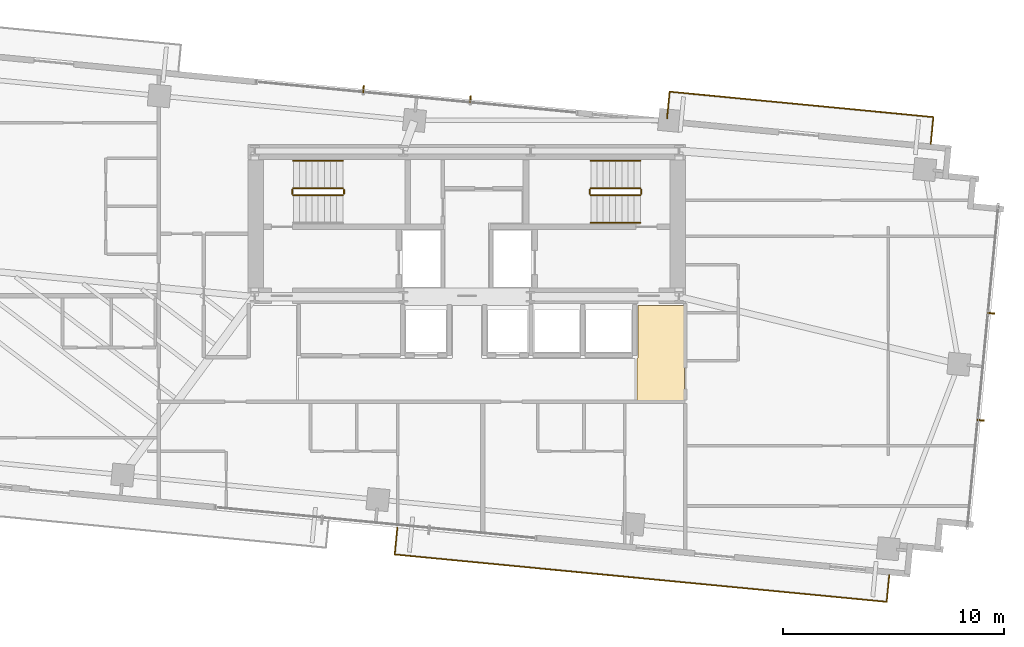
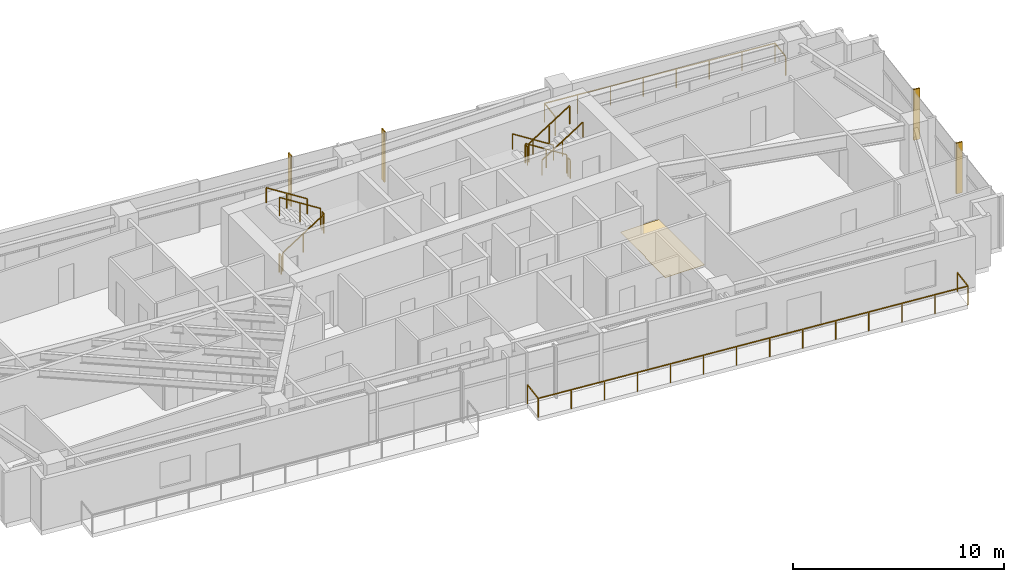
# One storey, part 20 of 20: 13 railings, 4 shading devices, 1 covering.
"""IFC4 building model written with IfcOpenShell, lengths in metres."""

from ifc_helpers import new_model, si_unit, direction, frame, origin, origin_2d, place, context, subcontext, project, spatial, polyline, rectangle, outline, extrude, source, transform, mapped, material, layer, layer_set, type_object, type_shapes, element, save


model = new_model("IFC4")

# Units and contexts
model_context = context("Model", 3, precision=1e-05, world=origin(), true_north=direction((0.0, 1.0)))
body_context = subcontext(model_context, "Body", "Model", "MODEL_VIEW")
ifc_project = project(units=[si_unit("LENGTHUNIT", "METRE"), si_unit("AREAUNIT", "SQUARE_METRE"), si_unit("VOLUMEUNIT", "CUBIC_METRE"), si_unit("PLANEANGLEUNIT", "RADIAN"), si_unit("MASSUNIT", "GRAM", prefix="KILO")], contexts=[model_context])

# Site, building, storey
site_placement = place(None, origin())
site = spatial("IfcSite", under=ifc_project, at=site_placement, CompositionType="ELEMENT")
building_placement = place(site_placement, origin())
building = spatial("IfcBuilding", under=site, at=building_placement, Name="Astriad Promenade Condominiums", CompositionType="ELEMENT")
storey_placement = place(building_placement, frame((0.0, 0.0, 131.0)))
storey = spatial("IfcBuildingStorey", under=building, at=storey_placement, Name="L37", CompositionType="ELEMENT", Elevation=131.0)

# Covering
ifc_material_1 = material(Name="Polished Lakefront Terrazzo Flooring")
ifc_layer = layer(ifc_material_1, 0.02001953125)
ifc_layer_set = layer_set([ifc_layer], Name="Polished Lakefront Terrazzo Flooring")
covering_type = type_object("IfcCoveringType", Name="COV-FLOR-TERRAZZO-20", PredefinedType="FLOORING", material=ifc_layer_set)
covering_placement = place(storey_placement, origin())
element("IfcCovering", 1, at=covering_placement, inside=storey, type_object=covering_type, Name="FLR-L37-COR-1", PredefinedType="FLOORING", context=body_context, shape_type="SweptSolid", body=[
    extrude(outline(polyline([(43.699951171875, 12.68994140625), (43.699951171875, 14.610107421875), (43.703857421875, 14.610107421875), (43.707763671875, 14.61083984375), (43.711669921875, 14.61181640625), (43.71533203125, 14.613037109375), (43.718994140625, 14.61474609375), (43.72216796875, 14.61669921875), (43.725341796875, 14.619140625), (43.728271484375, 14.62158203125), (43.73095703125, 14.62451171875), (43.7333984375, 14.627685546875), (43.7353515625, 14.631103515625), (43.737060546875, 14.634765625), (43.73828125, 14.638427734375), (43.7392578125, 14.64208984375), (43.73974609375, 14.64599609375), (43.739990234375, 14.64990234375), (43.739990234375, 17.010009765625), (45.840087890625, 17.010009765625), (45.840087890625, 12.68994140625), (43.699951171875, 12.68994140625)])), origin(), (0.0, 0.0, 1.0), 0.02001953125),
])

# Shading devices
ifc_material_2 = material(Name="Anodised aluminium 6063-T6 Black Fin", Category="aluminium")
shading_device_type = type_object("IfcShadingDeviceType", Name="FIN-BLACK-260", PredefinedType="USERDEFINED", material=ifc_material_2)
shared_shape_1 = source(origin(), body_context, "Body", "SweptSolid", [
    extrude(rectangle(XDim=0.06494140625, YDim=0.320068359375, at=origin_2d()), origin(), (0.0, 0.0, 1.0), 2.93994140625),
])
type_shapes(shading_device_type, [shared_shape_1])
for number, where, z_axis, x_axis, name in (
    (2, (31.3212890625, 26.7978515625, 0.0), (0.0, 0.0, 1.0), (0.995396198367, -0.09584575252, 0.0), "CW-L37-N-FIN-01"),
    (3, (36.1591796875, 26.331787109375, 0.0), (0.0, 0.0, 1.0), (0.995396198367, -0.09584575252, 0.0), "CW-L37-N-FIN-02"),
    (4, (59.7197265625, 16.652587890625, 0.0), (0.0, 0.0, 1.0), (-0.09584575252, -0.995396198367, 0.0), "CW-L37-E-FIN-01"),
    (5, (59.25341796875, 11.808349609375, 0.0), (0.0, 0.0, 1.0), (-0.09584575252, -0.995396198367, 0.0), "CW-L37-E-FIN-02"),
):
    element("IfcShadingDevice", number, at=place(storey_placement, frame(where, z_axis=z_axis, x_axis=x_axis)), inside=storey, type_object=shading_device_type, Name=name, ObjectType="FIN", PredefinedType="USERDEFINED", context=body_context, shape_type="MappedRepresentation", body=[
        mapped(shared_shape_1, transform((0.0, 0.0, 0.0), scale=1.0)),
    ])

# Railings
ifc_material_3 = material(Name="Laminated Glass and Stainless Steel Balustrade", Category="steel")
railing_type_1 = type_object("IfcRailingType", Name="GRD-BALC-1120", PredefinedType="BALUSTRADE", material=ifc_material_3)
shared_shape_2 = source(origin(), body_context, "Body", "SweptSolid", [
    extrude(rectangle(XDim=0.048095703125, YDim=0.048095703125, at=origin_2d()), frame((0.0, 0.0, 1.09619140625), z_axis=(-0.095876405589, -0.995393246336, 0.0), x_axis=(0.995393246336, -0.095876405589, 0.0)), (0.0, 0.0, 1.0), 1.2197265625),
    extrude(rectangle(XDim=0.048095703125, YDim=0.048095703125, at=origin_2d()), frame((-0.116943359375, -1.214111328125, 1.09619140625), z_axis=(0.995396181145, -0.095845931384, 0.0), x_axis=(0.095845931384, 0.995396181145, 0.0)), (0.0, 0.0, 1.0), 22.3671875),
    extrude(rectangle(XDim=0.048095703125, YDim=0.048095703125, at=origin_2d()), frame((22.147216796875, -3.35791015625, 1.09619140625), z_axis=(0.095857307208, 0.99539508571, 0.0), x_axis=(-0.99539508571, 0.095857307208, 0.0)), (0.0, 0.0, 1.0), 1.219970703125),
    extrude(rectangle(XDim=0.0419921875, YDim=0.0419921875, at=origin_2d()), origin(), (0.0, 0.0, 1.0), 1.072021484375),
    extrude(rectangle(XDim=0.0419921875, YDim=0.0419921875, at=origin_2d()), frame((-0.116943359375, -1.214111328125, 0.0)), (0.0, 0.0, 1.0), 1.072021484375),
    extrude(rectangle(XDim=0.0419921875, YDim=0.0419921875, at=origin_2d()), frame((1.595703125, -1.37890625, 0.0)), (0.0, 0.0, 1.0), 1.072021484375),
    extrude(rectangle(XDim=0.0419921875, YDim=0.0419921875, at=origin_2d()), frame((3.308349609375, -1.5439453125, 0.0)), (0.0, 0.0, 1.0), 1.072021484375),
    extrude(rectangle(XDim=0.0419921875, YDim=0.0419921875, at=origin_2d()), frame((5.02099609375, -1.708740234375, 0.0)), (0.0, 0.0, 1.0), 1.072021484375),
    extrude(rectangle(XDim=0.0419921875, YDim=0.0419921875, at=origin_2d()), frame((6.733642578125, -1.873779296875, 0.0)), (0.0, 0.0, 1.0), 1.072021484375),
    extrude(rectangle(XDim=0.0419921875, YDim=0.0419921875, at=origin_2d()), frame((8.4462890625, -2.03857421875, 0.0)), (0.0, 0.0, 1.0), 1.072021484375),
    extrude(rectangle(XDim=0.0419921875, YDim=0.0419921875, at=origin_2d()), frame((10.158935546875, -2.20361328125, 0.0)), (0.0, 0.0, 1.0), 1.072021484375),
    extrude(rectangle(XDim=0.0419921875, YDim=0.0419921875, at=origin_2d()), frame((11.871337890625, -2.368408203125, 0.0)), (0.0, 0.0, 1.0), 1.072021484375),
    extrude(rectangle(XDim=0.0419921875, YDim=0.0419921875, at=origin_2d()), frame((13.583984375, -2.533447265625, 0.0)), (0.0, 0.0, 1.0), 1.072021484375),
    extrude(rectangle(XDim=0.0419921875, YDim=0.0419921875, at=origin_2d()), frame((15.296630859375, -2.6982421875, 0.0)), (0.0, 0.0, 1.0), 1.072021484375),
    extrude(rectangle(XDim=0.0419921875, YDim=0.0419921875, at=origin_2d()), frame((17.00927734375, -2.86328125, 0.0)), (0.0, 0.0, 1.0), 1.072021484375),
    extrude(rectangle(XDim=0.0419921875, YDim=0.0419921875, at=origin_2d()), frame((18.721923828125, -3.028076171875, 0.0)), (0.0, 0.0, 1.0), 1.072021484375),
    extrude(rectangle(XDim=0.0419921875, YDim=0.0419921875, at=origin_2d()), frame((20.4345703125, -3.193115234375, 0.0)), (0.0, 0.0, 1.0), 1.072021484375),
    extrude(rectangle(XDim=0.0419921875, YDim=0.0419921875, at=origin_2d()), frame((22.147216796875, -3.35791015625, 0.0)), (0.0, 0.0, 1.0), 1.072021484375),
    extrude(rectangle(XDim=0.0419921875, YDim=0.0419921875, at=origin_2d()), frame((22.26416015625, -2.1435546875, 0.0)), (0.0, 0.0, 1.0), 1.072021484375),
])
railing_1_placement = place(storey_placement, frame((32.85009765625, 6.94970703125, 0.0)))
element("IfcRailing", 6, at=railing_1_placement, inside=storey, type_object=railing_type_1, Name="GRD-BALC-L37-SE", PredefinedType="BALUSTRADE", context=body_context, shape_type="MappedRepresentation", body=[
    mapped(shared_shape_2, transform((0.0, 0.0, 0.0), scale=1.0)),
])
shared_shape_3 = source(origin(), body_context, "Body", "SweptSolid", [
    extrude(rectangle(XDim=0.048095703125, YDim=0.048095703125, at=origin_2d()), frame((0.0, 0.0, 1.09619140625), z_axis=(0.095857307208, 0.99539508571, 0.0), x_axis=(-0.99539508571, 0.095857307208, 0.0)), (0.0, 0.0, 1.0), 1.219970703125),
    extrude(rectangle(XDim=0.048095703125, YDim=0.048095703125, at=origin_2d()), frame((0.116943359375, 1.21435546875, 1.09619140625), z_axis=(-0.995397121532, 0.095836164598, 0.0), x_axis=(-0.095836164598, -0.995397121532, 0.0)), (0.0, 0.0, 1.0), 11.990966796875),
    extrude(rectangle(XDim=0.048095703125, YDim=0.048095703125, at=origin_2d()), frame((-11.81884765625, 2.363525390625, 1.09619140625), z_axis=(-0.095857307208, -0.99539508571, 0.0), x_axis=(0.99539508571, -0.095857307208, 0.0)), (0.0, 0.0, 1.0), 1.219970703125),
    extrude(rectangle(XDim=0.0419921875, YDim=0.0419921875, at=origin_2d()), origin(), (0.0, 0.0, 1.0), 1.072021484375),
    extrude(rectangle(XDim=0.0419921875, YDim=0.0419921875, at=origin_2d()), frame((0.116943359375, 1.21435546875, 0.0)), (0.0, 0.0, 1.0), 1.072021484375),
    extrude(rectangle(XDim=0.0419921875, YDim=0.0419921875, at=origin_2d()), frame((-1.588134765625, 1.37841796875, 0.0)), (0.0, 0.0, 1.0), 1.072021484375),
    extrude(rectangle(XDim=0.0419921875, YDim=0.0419921875, at=origin_2d()), frame((-3.293212890625, 1.542724609375, 0.0)), (0.0, 0.0, 1.0), 1.072021484375),
    extrude(rectangle(XDim=0.0419921875, YDim=0.0419921875, at=origin_2d()), frame((-4.998291015625, 1.706787109375, 0.0)), (0.0, 0.0, 1.0), 1.072021484375),
    extrude(rectangle(XDim=0.0419921875, YDim=0.0419921875, at=origin_2d()), frame((-6.70361328125, 1.87109375, 0.0)), (0.0, 0.0, 1.0), 1.072021484375),
    extrude(rectangle(XDim=0.0419921875, YDim=0.0419921875, at=origin_2d()), frame((-8.40869140625, 2.03515625, 0.0)), (0.0, 0.0, 1.0), 1.072021484375),
    extrude(rectangle(XDim=0.0419921875, YDim=0.0419921875, at=origin_2d()), frame((-10.11376953125, 2.199462890625, 0.0)), (0.0, 0.0, 1.0), 1.072021484375),
    extrude(rectangle(XDim=0.0419921875, YDim=0.0419921875, at=origin_2d()), frame((-11.81884765625, 2.363525390625, 0.0)), (0.0, 0.0, 1.0), 1.072021484375),
    extrude(rectangle(XDim=0.0419921875, YDim=0.0419921875, at=origin_2d()), frame((-11.935791015625, 1.149169921875, 0.0)), (0.0, 0.0, 1.0), 1.072021484375),
])
type_shapes(railing_type_1, [shared_shape_2, shared_shape_3])
railing_2_placement = place(storey_placement, frame((56.99267578125, 24.31591796875, 0.0)))
element("IfcRailing", 7, at=railing_2_placement, inside=storey, type_object=railing_type_1, Name="GRD-BALC-L37-NE", PredefinedType="BALUSTRADE", context=body_context, shape_type="MappedRepresentation", body=[
    mapped(shared_shape_3, transform((0.0, 0.0, 0.0), scale=1.0)),
])
ifc_material_4 = material(Name="Painted Galvanised Steel Guardrail", Category="steel")
railing_type_2 = type_object("IfcRailingType", Name="GRD-STAIR-1100", PredefinedType="GUARDRAIL", material=ifc_material_4)
shared_shape_4 = source(origin(), body_context, "Body", "SweptSolid", [
    extrude(rectangle(XDim=0.048095703125, YDim=0.048095703125, at=origin_2d()), frame((0.0, 0.0, 1.076171875), z_axis=(0.0, 1.0, 0.0), x_axis=(-1.0, 0.0, 0.0)), (0.0, 0.0, 1.0), 0.199951171875),
    extrude(rectangle(XDim=0.0419921875, YDim=0.0419921875, at=origin_2d()), origin(), (0.0, 0.0, 1.0), 1.052001953125),
    extrude(rectangle(XDim=0.0419921875, YDim=0.0419921875, at=origin_2d()), frame((0.0, 0.199951171875, 0.0)), (0.0, 0.0, 1.0), 1.052001953125),
])
for number, where, name in (
    (8, (30.43994140625, 22.050048828125, 1.60009765625), "L37 ST-1 stair guard 2"),
    (9, (28.10009765625, 22.050048828125, 0.0), "L37 ST-1 stair guard 4"),
):
    element("IfcRailing", number, at=place(storey_placement, frame(where)), inside=storey, type_object=railing_type_2, Name=name, PredefinedType="GUARDRAIL", context=body_context, shape_type="MappedRepresentation", body=[
        mapped(shared_shape_4, transform((0.0, 0.0, 0.0), scale=1.0)),
    ])
shared_shape_5 = source(origin(), body_context, "Body", "SweptSolid", [
    extrude(rectangle(XDim=0.048095703125, YDim=0.048095703125, at=origin_2d()), frame((0.0, 0.0, 1.076171875), z_axis=(0.84418770128, 0.0, 0.536047689118), x_axis=(0.0, 1.0, 0.0)), (0.0, 0.0, 1.0), 2.6533203125),
    extrude(rectangle(XDim=0.0419921875, YDim=0.0419921875, at=origin_2d()), origin(), (0.0, 0.0, 1.0), 1.052001953125),
    extrude(rectangle(XDim=0.0419921875, YDim=0.0419921875, at=origin_2d()), frame((1.1201171875, 0.0, 0.711181640625)), (0.0, 0.0, 1.0), 1.052001953125),
    extrude(rectangle(XDim=0.0419921875, YDim=0.0419921875, at=origin_2d()), frame((2.239990234375, 0.0, 1.42236328125)), (0.0, 0.0, 1.0), 1.052001953125),
])
railing_3_placement = place(storey_placement, frame((28.14990234375, 22.0, 0.177734375)))
element("IfcRailing", 10, at=railing_3_placement, inside=storey, type_object=railing_type_2, Name="L37 ST-1 stair guard 1", PredefinedType="GUARDRAIL", context=body_context, shape_type="MappedRepresentation", body=[
    mapped(shared_shape_5, transform((0.0, 0.0, 0.0), scale=1.0)),
])
shared_shape_6 = source(origin(), body_context, "Body", "SweptSolid", [
    extrude(rectangle(XDim=0.048095703125, YDim=0.048095703125, at=origin_2d()), frame((0.0, 0.0, 1.076171875), z_axis=(-0.8442293374, 0.0, 0.53598211339), x_axis=(0.0, -1.0, 0.0)), (0.0, 0.0, 1.0), 2.6533203125),
    extrude(rectangle(XDim=0.0419921875, YDim=0.0419921875, at=origin_2d()), origin(), (0.0, 0.0, 1.0), 1.052001953125),
    extrude(rectangle(XDim=0.0419921875, YDim=0.0419921875, at=origin_2d()), frame((-1.1201171875, 0.0, 0.7109375)), (0.0, 0.0, 1.0), 1.052001953125),
    extrude(rectangle(XDim=0.0419921875, YDim=0.0419921875, at=origin_2d()), frame((-2.239990234375, 0.0, 1.422119140625)), (0.0, 0.0, 1.0), 1.052001953125),
])
railing_4_placement = place(storey_placement, frame((30.389892578125, 22.300048828125, 1.77783203125)))
element("IfcRailing", 11, at=railing_4_placement, inside=storey, type_object=railing_type_2, Name="L37 ST-1 stair guard 3", PredefinedType="GUARDRAIL", context=body_context, shape_type="MappedRepresentation", body=[
    mapped(shared_shape_6, transform((0.0, 0.0, 0.0), scale=1.0)),
])
ifc_material_5 = material(Name="Brushed Stainless Steel Handrail", Category="steel")
railing_type_3 = type_object("IfcRailingType", Name="HRL-STAIR-920", PredefinedType="HANDRAIL", material=ifc_material_5)
shared_shape_7 = source(origin(), body_context, "Body", "SweptSolid", [
    extrude(rectangle(XDim=0.048095703125, YDim=0.048095703125, at=origin_2d()), frame((0.0, 0.0, 0.8759765625), z_axis=(-0.8442293374, 0.0, 0.53598211339), x_axis=(0.0, -1.0, 0.0)), (0.0, 0.0, 1.0), 2.6533203125),
    extrude(rectangle(XDim=0.0419921875, YDim=0.0419921875, at=origin_2d()), origin(), (0.0, 0.0, 1.0), 0.851806640625),
    extrude(rectangle(XDim=0.0419921875, YDim=0.0419921875, at=origin_2d()), frame((-1.1201171875, 0.0, 0.7109375)), (0.0, 0.0, 1.0), 0.851806640625),
    extrude(rectangle(XDim=0.0419921875, YDim=0.0419921875, at=origin_2d()), frame((-2.239990234375, 0.0, 1.422119140625)), (0.0, 0.0, 1.0), 0.851806640625),
])
railing_5_placement = place(storey_placement, frame((30.389892578125, 23.550048828125, 1.77783203125)))
element("IfcRailing", 12, at=railing_5_placement, inside=storey, type_object=railing_type_3, Name="L37 ST-1 stair handrail 2", PredefinedType="HANDRAIL", context=body_context, shape_type="MappedRepresentation", body=[
    mapped(shared_shape_7, transform((0.0, 0.0, 0.0), scale=1.0)),
])
shared_shape_8 = source(origin(), body_context, "Body", "SweptSolid", [
    extrude(rectangle(XDim=0.048095703125, YDim=0.048095703125, at=origin_2d()), frame((0.0, 0.0, 1.076171875), z_axis=(0.8442293374, 0.0, 0.53598211339), x_axis=(0.0, 1.0, 0.0)), (0.0, 0.0, 1.0), 2.6533203125),
    extrude(rectangle(XDim=0.0419921875, YDim=0.0419921875, at=origin_2d()), origin(), (0.0, 0.0, 1.0), 1.052001953125),
    extrude(rectangle(XDim=0.0419921875, YDim=0.0419921875, at=origin_2d()), frame((1.1201171875, 0.0, 0.7109375)), (0.0, 0.0, 1.0), 1.052001953125),
    extrude(rectangle(XDim=0.0419921875, YDim=0.0419921875, at=origin_2d()), frame((2.239990234375, 0.0, 1.422119140625)), (0.0, 0.0, 1.0), 1.052001953125),
])
railing_6_placement = place(storey_placement, frame((41.610107421875, 22.0, 1.77783203125)))
element("IfcRailing", 13, at=railing_6_placement, inside=storey, type_object=railing_type_2, Name="L37 ST-2 stair guard 3", PredefinedType="GUARDRAIL", context=body_context, shape_type="MappedRepresentation", body=[
    mapped(shared_shape_8, transform((0.0, 0.0, 0.0), scale=1.0)),
])
shared_shape_9 = source(origin(), body_context, "Body", "SweptSolid", [
    extrude(rectangle(XDim=0.048095703125, YDim=0.048095703125, at=origin_2d()), frame((0.0, 0.0, 1.076171875), z_axis=(-0.84418770128, 0.0, 0.536047689118), x_axis=(0.0, -1.0, 0.0)), (0.0, 0.0, 1.0), 2.6533203125),
    extrude(rectangle(XDim=0.0419921875, YDim=0.0419921875, at=origin_2d()), origin(), (0.0, 0.0, 1.0), 1.052001953125),
    extrude(rectangle(XDim=0.0419921875, YDim=0.0419921875, at=origin_2d()), frame((-1.1201171875, 0.0, 0.711181640625)), (0.0, 0.0, 1.0), 1.052001953125),
    extrude(rectangle(XDim=0.0419921875, YDim=0.0419921875, at=origin_2d()), frame((-2.239990234375, 0.0, 1.42236328125)), (0.0, 0.0, 1.0), 1.052001953125),
])
railing_7_placement = place(storey_placement, frame((43.85009765625, 22.300048828125, 0.177734375)))
element("IfcRailing", 14, at=railing_7_placement, inside=storey, type_object=railing_type_2, Name="L37 ST-2 stair guard 1", PredefinedType="GUARDRAIL", context=body_context, shape_type="MappedRepresentation", body=[
    mapped(shared_shape_9, transform((0.0, 0.0, 0.0), scale=1.0)),
])
shared_shape_10 = source(origin(), body_context, "Body", "SweptSolid", [
    extrude(rectangle(XDim=0.048095703125, YDim=0.048095703125, at=origin_2d()), frame((0.0, 0.0, 0.8759765625), z_axis=(0.8442293374, 0.0, 0.53598211339), x_axis=(0.0, 1.0, 0.0)), (0.0, 0.0, 1.0), 2.6533203125),
    extrude(rectangle(XDim=0.0419921875, YDim=0.0419921875, at=origin_2d()), origin(), (0.0, 0.0, 1.0), 0.851806640625),
    extrude(rectangle(XDim=0.0419921875, YDim=0.0419921875, at=origin_2d()), frame((1.1201171875, 0.0, 0.7109375)), (0.0, 0.0, 1.0), 0.851806640625),
    extrude(rectangle(XDim=0.0419921875, YDim=0.0419921875, at=origin_2d()), frame((2.239990234375, 0.0, 1.422119140625)), (0.0, 0.0, 1.0), 0.851806640625),
])
railing_8_placement = place(storey_placement, frame((41.610107421875, 20.75, 1.77783203125)))
element("IfcRailing", 15, at=railing_8_placement, inside=storey, type_object=railing_type_3, Name="L37 ST-2 stair handrail 2", PredefinedType="HANDRAIL", context=body_context, shape_type="MappedRepresentation", body=[
    mapped(shared_shape_10, transform((0.0, 0.0, 0.0), scale=1.0)),
])
shared_shape_11 = source(origin(), body_context, "Body", "SweptSolid", [
    extrude(rectangle(XDim=0.048095703125, YDim=0.048095703125, at=origin_2d()), frame((0.0, 0.0, 0.8759765625), z_axis=(-0.84418770128, 0.0, 0.536047689118), x_axis=(0.0, -1.0, 0.0)), (0.0, 0.0, 1.0), 2.6533203125),
    extrude(rectangle(XDim=0.0419921875, YDim=0.0419921875, at=origin_2d()), origin(), (0.0, 0.0, 1.0), 0.851806640625),
    extrude(rectangle(XDim=0.0419921875, YDim=0.0419921875, at=origin_2d()), frame((-1.1201171875, 0.0, 0.711181640625)), (0.0, 0.0, 1.0), 0.851806640625),
    extrude(rectangle(XDim=0.0419921875, YDim=0.0419921875, at=origin_2d()), frame((-2.239990234375, 0.0, 1.42236328125)), (0.0, 0.0, 1.0), 0.851806640625),
])
type_shapes(railing_type_3, [shared_shape_7, shared_shape_10, shared_shape_11])
railing_9_placement = place(storey_placement, frame((43.85009765625, 23.550048828125, 0.177734375)))
element("IfcRailing", 16, at=railing_9_placement, inside=storey, type_object=railing_type_3, Name="L37 ST-2 stair handrail 1", PredefinedType="HANDRAIL", context=body_context, shape_type="MappedRepresentation", body=[
    mapped(shared_shape_11, transform((0.0, 0.0, 0.0), scale=1.0)),
])
shared_shape_12 = source(origin(), body_context, "Body", "SweptSolid", [
    extrude(rectangle(XDim=0.048095703125, YDim=0.048095703125, at=origin_2d()), frame((0.0, 0.0, 1.076171875), z_axis=(0.0, -1.0, 0.0), x_axis=(1.0, 0.0, 0.0)), (0.0, 0.0, 1.0), 0.199951171875),
    extrude(rectangle(XDim=0.0419921875, YDim=0.0419921875, at=origin_2d()), origin(), (0.0, 0.0, 1.0), 1.052001953125),
    extrude(rectangle(XDim=0.0419921875, YDim=0.0419921875, at=origin_2d()), frame((0.0, -0.199951171875, 0.0)), (0.0, 0.0, 1.0), 1.052001953125),
])
type_shapes(railing_type_2, [shared_shape_4, shared_shape_5, shared_shape_6, shared_shape_8, shared_shape_9, shared_shape_12])
for number, where, name in (
    (17, (41.56005859375, 22.25, 1.60009765625), "L37 ST-2 stair guard 2"),
    (18, (43.89990234375, 22.25, 0.0), "L37 ST-2 stair guard 4"),
):
    element("IfcRailing", number, at=place(storey_placement, frame(where)), inside=storey, type_object=railing_type_2, Name=name, PredefinedType="GUARDRAIL", context=body_context, shape_type="MappedRepresentation", body=[
        mapped(shared_shape_12, transform((0.0, 0.0, 0.0), scale=1.0)),
    ])

save(model, "model.ifc")
